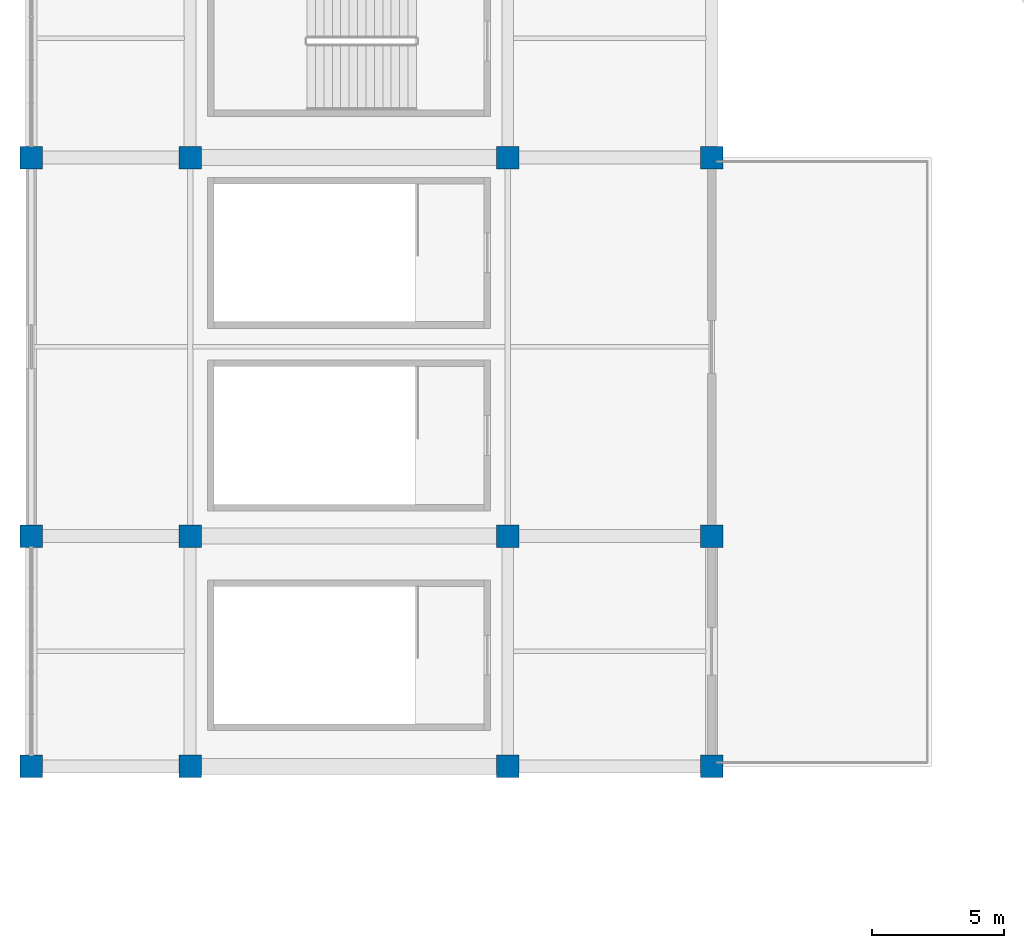
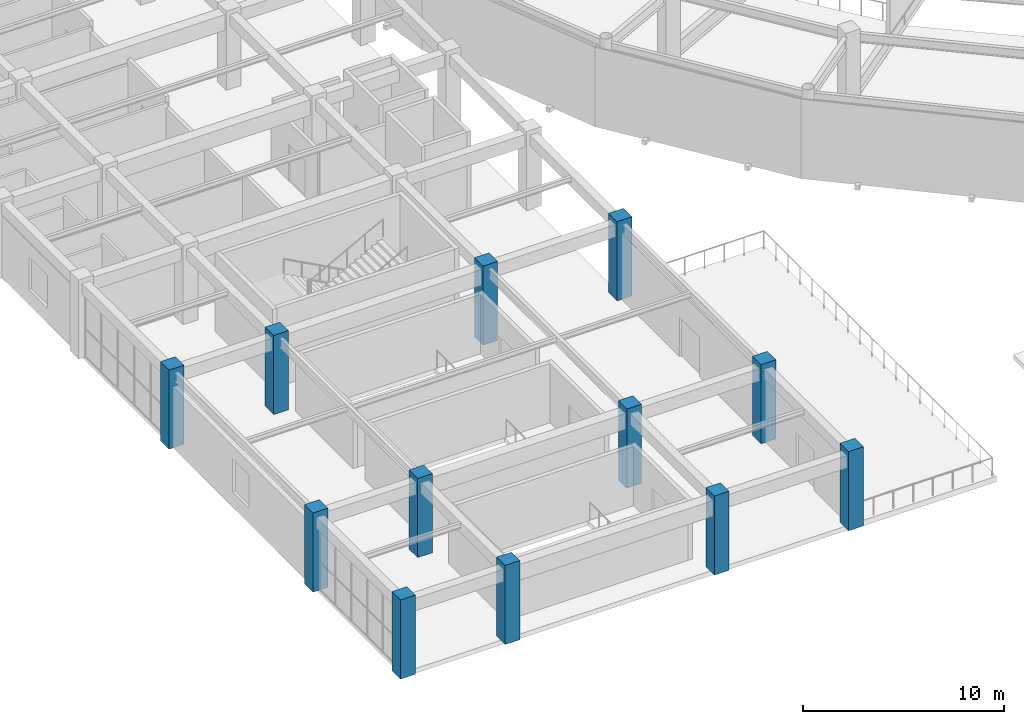
# One storey, part 1 of 122: 12 columns.
"""IFC4 building model written with IfcOpenShell, lengths in metres."""

from ifc_helpers import new_model, si_unit, direction, frame, origin, origin_2d, place, context, subcontext, project, spatial, rectangle, extrude, material, material_profile, profile_set, type_object, element, save


model = new_model("IFC4")

# Units and contexts
model_context = context("Model", 3, precision=1e-05, world=origin(), true_north=direction((0.0, 1.0)))
body_context = subcontext(model_context, "Body", "Model", "MODEL_VIEW")
ifc_project = project(units=[si_unit("LENGTHUNIT", "METRE"), si_unit("AREAUNIT", "SQUARE_METRE"), si_unit("VOLUMEUNIT", "CUBIC_METRE"), si_unit("PLANEANGLEUNIT", "RADIAN"), si_unit("MASSUNIT", "GRAM", prefix="KILO")], contexts=[model_context])

# Site, building, storey
site_placement = place(None, origin())
site = spatial("IfcSite", under=ifc_project, at=site_placement, CompositionType="ELEMENT")
building_placement = place(site_placement, origin())
building = spatial("IfcBuilding", under=site, at=building_placement, Name="Cuetzalor Civic Arena", CompositionType="ELEMENT")
storey_placement = place(building_placement, frame((0.0, 0.0, 16.199951171875)))
storey = spatial("IfcBuildingStorey", under=building, at=storey_placement, Name="L03", CompositionType="ELEMENT", Elevation=16.199951171875)

# Columns
ifc_material = material(Name="Concrete C40/50", Category="concrete")
ifc_material_profile = material_profile(ifc_material, rectangle(XDim=0.85009765625, YDim=0.85009765625, at=origin_2d()), Name="RC 850x850")
ifc_profile_set = profile_set([ifc_material_profile], Name="Concrete C40/50")
column_type = type_object("IfcColumnType", Name="ConcreteColumn_850", PredefinedType="COLUMN", material=ifc_profile_set)
for number, where, z_axis, x_axis, name in (
    (1, (-82.0, -57.0, 0.0), (0.0, 0.0, 1.0), (1.0, 0.0, 0.0), "Column V4W-C-01-01 L03"),
    (2, (-82.0, -48.300048828125, 0.0), (0.0, 0.0, 1.0), (1.0, 0.0, 0.0), "Column V4W-C-01-02 L03"),
    (3, (-82.0, -34.0, 0.0), (0.0, 0.0, 1.0), (1.0, 0.0, 0.0), "Column V4W-C-01-03 L03"),
    (4, (-76.0, -57.0, 0.0), (0.0, 0.0, 1.0), (1.0, 0.0, 0.0), "Column V4W-C-02-01 L03"),
    (5, (-76.0, -48.300048828125, 0.0), (0.0, 0.0, 1.0), (1.0, 0.0, 0.0), "Column V4W-C-02-02 L03"),
    (6, (-76.0, -34.0, 0.0), (0.0, 0.0, 1.0), (1.0, 0.0, 0.0), "Column V4W-C-02-03 L03"),
    (7, (-64.0, -57.0, 0.0), (0.0, 0.0, 1.0), (1.0, 0.0, 0.0), "Column V4W-C-03-01 L03"),
    (8, (-64.0, -48.300048828125, 0.0), (0.0, 0.0, 1.0), (1.0, 0.0, 0.0), "Column V4W-C-03-02 L03"),
    (9, (-64.0, -34.0, 0.0), (0.0, 0.0, 1.0), (1.0, 0.0, 0.0), "Column V4W-C-03-03 L03"),
    (10, (-56.300048828125, -57.0, 0.0), (0.0, 0.0, 1.0), (1.0, 0.0, 0.0), "Column V4W-C-04-01 L03"),
    (11, (-56.300048828125, -48.300048828125, 0.0), (0.0, 0.0, 1.0), (1.0, 0.0, 0.0), "Column V4W-C-04-02 L03"),
    (12, (-56.300048828125, -34.0, 0.0), (0.0, 0.0, 1.0), (1.0, 0.0, 0.0), "Column V4W-C-04-03 L03"),
):
    element("IfcColumn", number, at=place(storey_placement, frame(where, z_axis=z_axis, x_axis=x_axis)), inside=storey, type_object=column_type, Name=name, PredefinedType="COLUMN", context=body_context, shape_type="SweptSolid", body=[
        extrude(rectangle(XDim=0.85009765625, YDim=0.85009765625, at=origin_2d()), origin(), (0.0, 0.0, 1.0), 4.800048828125),
    ])

save(model, "model.ifc")
